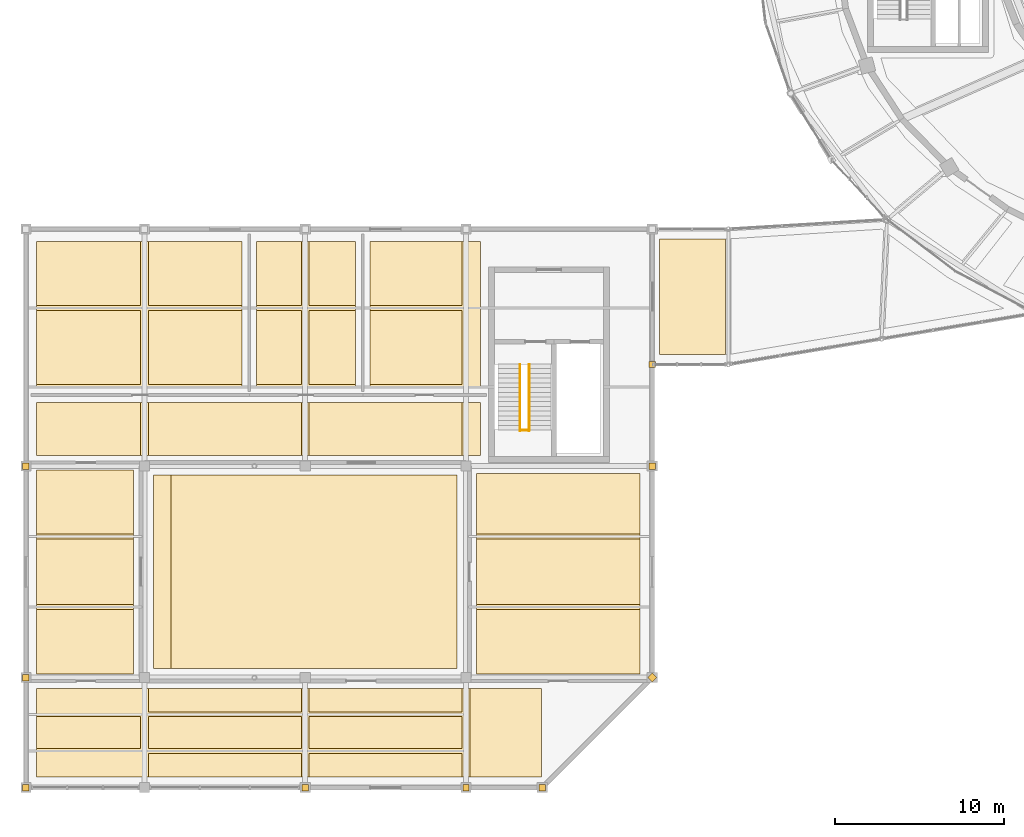
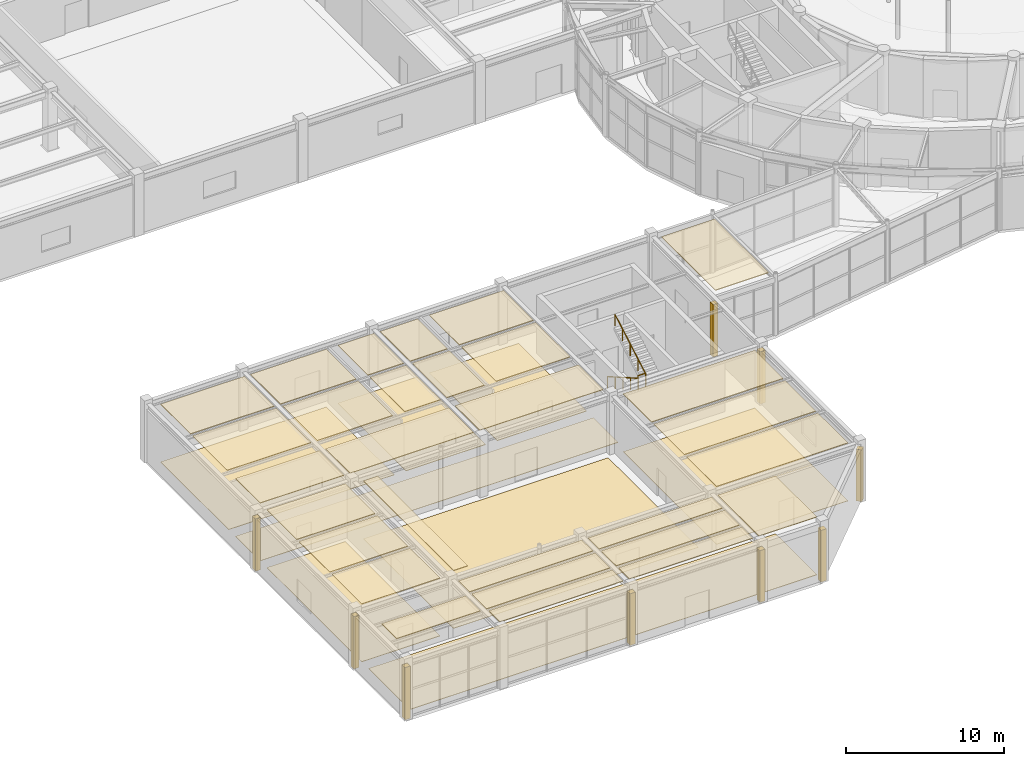
# One storey, part 98 of 108: 46 coverings, 3 railings.
"""IFC4 building model written with IfcOpenShell, lengths in metres."""

from ifc_helpers import new_model, si_unit, direction, frame, origin, origin_2d, place, context, subcontext, project, spatial, polyline, rectangle, circle, outline, extrude, material, layer, layer_set, type_object, element, save


model = new_model("IFC4")

# Units and contexts
model_context = context("Model", 3, precision=1e-05, world=origin(), true_north=direction((0.0, 1.0)))
body_context = subcontext(model_context, "Body", "Model", "MODEL_VIEW")
ifc_project = project(units=[si_unit("LENGTHUNIT", "METRE"), si_unit("AREAUNIT", "SQUARE_METRE"), si_unit("VOLUMEUNIT", "CUBIC_METRE"), si_unit("PLANEANGLEUNIT", "RADIAN"), si_unit("MASSUNIT", "GRAM", prefix="KILO")], contexts=[model_context])

# Site, building, storey
site_placement = place(None, origin())
site = spatial("IfcSite", under=ifc_project, at=site_placement, CompositionType="ELEMENT")
building_placement = place(site_placement, origin())
building = spatial("IfcBuilding", under=site, at=building_placement, Name="Tarnveldt Headland Concert Hall", CompositionType="ELEMENT")
storey_placement = place(building_placement, origin())
storey = spatial("IfcBuildingStorey", under=building, at=storey_placement, Name="L00", CompositionType="ELEMENT", Elevation=0.0)

# Coverings
ifc_material_1 = material(Name="Micro-perforated mvule acoustic ceiling panel", Category="timber")
ifc_layer_1 = layer(ifc_material_1, 0.050048828125, Name="Micro-perforated mvule acoustic ceiling panel", Category="timber")
ifc_layer_set_1 = layer_set([ifc_layer_1], Name="Micro-perforated mvule acoustic ceiling panel")
covering_type_1 = type_object("IfcCoveringType", Name="CV-CEIL50", PredefinedType="CEILING", material=ifc_layer_set_1)
covering_1_placement = place(storey_placement, frame((0.0, 0.0, 4.469970703125)))
element("IfcCovering", 1, at=covering_1_placement, inside=storey, type_object=covering_type_1, Name="Acoustic mvule ceiling L00-18-42", PredefinedType="CEILING", context=body_context, shape_type="SweptSolid", body=[
    extrude(outline(polyline([(14.27001953125, 7.306884765625), (8.1298828125, 7.306884765625), (8.1298828125, 9.193115234375), (14.27001953125, 9.193115234375), (14.27001953125, 7.306884765625)])), origin(), (0.0, 0.0, 1.0), 0.050048828125),
])
covering_2_placement = place(storey_placement, frame((0.0, 0.0, 4.469970703125)))
element("IfcCovering", 2, at=covering_2_placement, inside=storey, type_object=covering_type_1, Name="Acoustic mvule ceiling L00-18-43", PredefinedType="CEILING", context=body_context, shape_type="SweptSolid", body=[
    extrude(outline(polyline([(14.72998046875, 7.027099609375), (23.77001953125, 7.027099609375), (23.77001953125, 5.6298828125), (14.72998046875, 5.6298828125), (14.72998046875, 7.027099609375)])), origin(), (0.0, 0.0, 1.0), 0.050048828125),
])
covering_3_placement = place(storey_placement, frame((0.0, 0.0, 4.469970703125)))
element("IfcCovering", 3, at=covering_3_placement, inside=storey, type_object=covering_type_1, Name="Acoustic mvule ceiling L00-18-44", PredefinedType="CEILING", context=body_context, shape_type="SweptSolid", body=[
    extrude(outline(polyline([(14.72998046875, 7.306884765625), (14.72998046875, 9.193115234375), (23.77001953125, 9.193115234375), (23.77001953125, 7.306884765625), (14.72998046875, 7.306884765625)])), origin(), (0.0, 0.0, 1.0), 0.050048828125),
])
covering_4_placement = place(storey_placement, frame((0.0, 0.0, 4.469970703125)))
element("IfcCovering", 4, at=covering_4_placement, inside=storey, type_object=covering_type_1, Name="Acoustic mvule ceiling L00-18-45", PredefinedType="CEILING", context=body_context, shape_type="SweptSolid", body=[
    extrude(outline(polyline([(14.72998046875, 9.472900390625), (14.72998046875, 10.8701171875), (23.77001953125, 10.8701171875), (23.77001953125, 9.472900390625), (14.72998046875, 9.472900390625)])), origin(), (0.0, 0.0, 1.0), 0.050048828125),
])
covering_5_placement = place(storey_placement, frame((0.0, 0.0, 4.469970703125)))
element("IfcCovering", 5, at=covering_5_placement, inside=storey, type_object=covering_type_1, Name="Acoustic mvule ceiling L00-18-46", PredefinedType="CEILING", context=body_context, shape_type="SweptSolid", body=[
    extrude(outline(polyline([(33.27001953125, 7.027099609375), (33.27001953125, 5.6298828125), (24.22998046875, 5.6298828125), (24.22998046875, 7.027099609375), (33.27001953125, 7.027099609375)])), origin(), (0.0, 0.0, 1.0), 0.050048828125),
])
covering_6_placement = place(storey_placement, frame((0.0, 0.0, 4.469970703125)))
element("IfcCovering", 6, at=covering_6_placement, inside=storey, type_object=covering_type_1, Name="Acoustic mvule ceiling L00-18-47", PredefinedType="CEILING", context=body_context, shape_type="SweptSolid", body=[
    extrude(outline(polyline([(24.22998046875, 9.193115234375), (33.27001953125, 9.193115234375), (33.27001953125, 7.306884765625), (24.22998046875, 7.306884765625), (24.22998046875, 9.193115234375)])), origin(), (0.0, 0.0, 1.0), 0.050048828125),
])
covering_7_placement = place(storey_placement, frame((0.0, 0.0, 4.469970703125)))
element("IfcCovering", 7, at=covering_7_placement, inside=storey, type_object=covering_type_1, Name="Acoustic mvule ceiling L00-18-48", PredefinedType="CEILING", context=body_context, shape_type="SweptSolid", body=[
    extrude(outline(polyline([(24.22998046875, 10.8701171875), (33.27001953125, 10.8701171875), (33.27001953125, 9.472900390625), (24.22998046875, 9.472900390625), (24.22998046875, 10.8701171875)])), origin(), (0.0, 0.0, 1.0), 0.050048828125),
])
covering_8_placement = place(storey_placement, frame((0.0, 0.0, 4.469970703125)))
element("IfcCovering", 8, at=covering_8_placement, inside=storey, type_object=covering_type_1, Name="Acoustic mvule ceiling L00-18-49", PredefinedType="CEILING", context=body_context, shape_type="SweptSolid", body=[
    extrude(outline(polyline([(37.969970703125, 5.6298828125), (33.72998046875, 5.6298828125), (33.72998046875, 10.8701171875), (37.969970703125, 10.8701171875), (37.969970703125, 5.6298828125)])), origin(), (0.0, 0.0, 1.0), 0.050048828125),
])
covering_9_placement = place(storey_placement, frame((0.0, 0.0, 4.469970703125)))
element("IfcCovering", 9, at=covering_9_placement, inside=storey, type_object=covering_type_1, Name="Acoustic mvule ceiling L00-19-50", PredefinedType="CEILING", context=body_context, shape_type="SweptSolid", body=[
    extrude(outline(polyline([(8.1298828125, 19.693115234375), (13.8701171875, 19.693115234375), (13.8701171875, 15.806884765625), (8.1298828125, 15.806884765625), (8.1298828125, 19.693115234375)])), origin(), (0.0, 0.0, 1.0), 0.050048828125),
])
covering_10_placement = place(storey_placement, frame((0.0, 0.0, 4.469970703125)))
element("IfcCovering", 10, at=covering_10_placement, inside=storey, type_object=covering_type_1, Name="Acoustic mvule ceiling L00-19-51", PredefinedType="CEILING", context=body_context, shape_type="SweptSolid", body=[
    extrude(outline(polyline([(13.8701171875, 23.77001953125), (13.8701171875, 19.972900390625), (8.1298828125, 19.972900390625), (8.1298828125, 23.77001953125), (13.8701171875, 23.77001953125)])), origin(), (0.0, 0.0, 1.0), 0.050048828125),
])
covering_11_placement = place(storey_placement, frame((0.0, 0.0, 4.469970703125)))
element("IfcCovering", 11, at=covering_11_placement, inside=storey, type_object=covering_type_1, Name="Acoustic mvule ceiling L00-19-52", PredefinedType="CEILING", context=body_context, shape_type="SweptSolid", body=[
    extrude(outline(polyline([(8.1298828125, 15.527099609375), (13.8701171875, 15.527099609375), (13.8701171875, 11.72998046875), (8.1298828125, 11.72998046875), (8.1298828125, 15.527099609375)])), origin(), (0.0, 0.0, 1.0), 0.050048828125),
])
covering_12_placement = place(storey_placement, frame((0.0, 0.0, 4.469970703125)))
element("IfcCovering", 12, at=covering_12_placement, inside=storey, type_object=covering_type_1, Name="Acoustic mvule ceiling L00-20-53", PredefinedType="CEILING", context=body_context, shape_type="SweptSolid", body=[
    extrude(outline(polyline([(34.1298828125, 19.972900390625), (34.1298828125, 23.570068359375), (43.77001953125, 23.570068359375), (43.77001953125, 19.972900390625), (34.1298828125, 19.972900390625)])), origin(), (0.0, 0.0, 1.0), 0.050048828125),
])
covering_13_placement = place(storey_placement, frame((0.0, 0.0, 4.469970703125)))
element("IfcCovering", 13, at=covering_13_placement, inside=storey, type_object=covering_type_1, Name="Acoustic mvule ceiling L00-20-54", PredefinedType="CEILING", context=body_context, shape_type="SweptSolid", body=[
    extrude(outline(polyline([(34.1298828125, 15.806884765625), (34.1298828125, 19.693115234375), (43.77001953125, 19.693115234375), (43.77001953125, 15.806884765625), (34.1298828125, 15.806884765625)])), origin(), (0.0, 0.0, 1.0), 0.050048828125),
])
covering_14_placement = place(storey_placement, frame((0.0, 0.0, 4.469970703125)))
element("IfcCovering", 14, at=covering_14_placement, inside=storey, type_object=covering_type_1, Name="Acoustic mvule ceiling L00-20-55", PredefinedType="CEILING", context=body_context, shape_type="SweptSolid", body=[
    extrude(outline(polyline([(34.1298828125, 15.527099609375), (43.77001953125, 15.527099609375), (43.77001953125, 11.72998046875), (34.1298828125, 11.72998046875), (34.1298828125, 15.527099609375)])), origin(), (0.0, 0.0, 1.0), 0.050048828125),
])
covering_15_placement = place(storey_placement, frame((0.0, 0.0, 4.469970703125)))
element("IfcCovering", 15, at=covering_15_placement, inside=storey, type_object=covering_type_1, Name="Acoustic mvule ceiling L00-21-56", PredefinedType="CEILING", context=body_context, shape_type="SweptSolid", body=[
    extrude(outline(polyline([(8.1298828125, 24.6298828125), (8.1298828125, 27.77001953125), (14.27001953125, 27.77001953125), (14.27001953125, 24.6298828125), (8.1298828125, 24.6298828125)])), origin(), (0.0, 0.0, 1.0), 0.050048828125),
])
covering_16_placement = place(storey_placement, frame((0.0, 0.0, 4.469970703125)))
element("IfcCovering", 16, at=covering_16_placement, inside=storey, type_object=covering_type_1, Name="Acoustic mvule ceiling L00-21-57", PredefinedType="CEILING", context=body_context, shape_type="SweptSolid", body=[
    extrude(outline(polyline([(24.22998046875, 27.77001953125), (33.27001953125, 27.77001953125), (33.27001953125, 24.6298828125), (24.22998046875, 24.6298828125), (24.22998046875, 27.77001953125)])), origin(), (0.0, 0.0, 1.0), 0.050048828125),
])
covering_17_placement = place(storey_placement, frame((0.0, 0.0, 4.469970703125)))
element("IfcCovering", 17, at=covering_17_placement, inside=storey, type_object=covering_type_1, Name="Acoustic mvule ceiling L00-21-58", PredefinedType="CEILING", context=body_context, shape_type="SweptSolid", body=[
    extrude(outline(polyline([(23.77001953125, 27.77001953125), (23.77001953125, 24.6298828125), (14.72998046875, 24.6298828125), (14.72998046875, 27.77001953125), (23.77001953125, 27.77001953125)])), origin(), (0.0, 0.0, 1.0), 0.050048828125),
])
covering_18_placement = place(storey_placement, frame((0.0, 0.0, 4.469970703125)))
element("IfcCovering", 18, at=covering_18_placement, inside=storey, type_object=covering_type_1, Name="Acoustic mvule ceiling L00-22-59", PredefinedType="CEILING", context=body_context, shape_type="SweptSolid", body=[
    extrude(outline(polyline([(20.27001953125, 33.472900390625), (14.72998046875, 33.472900390625), (14.72998046875, 37.27001953125), (20.27001953125, 37.27001953125), (20.27001953125, 33.472900390625)])), origin(), (0.0, 0.0, 1.0), 0.050048828125),
])
covering_19_placement = place(storey_placement, frame((0.0, 0.0, 4.469970703125)))
element("IfcCovering", 19, at=covering_19_placement, inside=storey, type_object=covering_type_1, Name="Acoustic mvule ceiling L00-22-60", PredefinedType="CEILING", context=body_context, shape_type="SweptSolid", body=[
    extrude(outline(polyline([(14.72998046875, 28.806884765625), (14.72998046875, 33.193115234375), (20.27001953125, 33.193115234375), (20.27001953125, 28.806884765625), (14.72998046875, 28.806884765625)])), origin(), (0.0, 0.0, 1.0), 0.050048828125),
])
covering_20_placement = place(storey_placement, frame((0.0, 0.0, 4.469970703125)))
element("IfcCovering", 20, at=covering_20_placement, inside=storey, type_object=covering_type_1, Name="Acoustic mvule ceiling L00-22-61", PredefinedType="CEILING", context=body_context, shape_type="SweptSolid", body=[
    extrude(outline(polyline([(14.27001953125, 28.806884765625), (8.1298828125, 28.806884765625), (8.1298828125, 33.193115234375), (14.27001953125, 33.193115234375), (14.27001953125, 28.806884765625)])), origin(), (0.0, 0.0, 1.0), 0.050048828125),
])
covering_21_placement = place(storey_placement, frame((0.0, 0.0, 4.469970703125)))
element("IfcCovering", 21, at=covering_21_placement, inside=storey, type_object=covering_type_1, Name="Acoustic mvule ceiling L00-22-62", PredefinedType="CEILING", context=body_context, shape_type="SweptSolid", body=[
    extrude(outline(polyline([(14.27001953125, 33.472900390625), (8.1298828125, 33.472900390625), (8.1298828125, 37.27001953125), (14.27001953125, 37.27001953125), (14.27001953125, 33.472900390625)])), origin(), (0.0, 0.0, 1.0), 0.050048828125),
])
covering_22_placement = place(storey_placement, frame((0.0, 0.0, 4.469970703125)))
element("IfcCovering", 22, at=covering_22_placement, inside=storey, type_object=covering_type_1, Name="Acoustic mvule ceiling L00-23-63", PredefinedType="CEILING", context=body_context, shape_type="SweptSolid", body=[
    extrude(outline(polyline([(26.969970703125, 33.472900390625), (24.22998046875, 33.472900390625), (24.22998046875, 37.27001953125), (26.969970703125, 37.27001953125), (26.969970703125, 33.472900390625)])), origin(), (0.0, 0.0, 1.0), 0.050048828125),
])
covering_23_placement = place(storey_placement, frame((0.0, 0.0, 4.469970703125)))
element("IfcCovering", 23, at=covering_23_placement, inside=storey, type_object=covering_type_1, Name="Acoustic mvule ceiling L00-23-64", PredefinedType="CEILING", context=body_context, shape_type="SweptSolid", body=[
    extrude(outline(polyline([(24.22998046875, 28.806884765625), (24.22998046875, 33.193115234375), (26.969970703125, 33.193115234375), (26.969970703125, 28.806884765625), (24.22998046875, 28.806884765625)])), origin(), (0.0, 0.0, 1.0), 0.050048828125),
])
covering_24_placement = place(storey_placement, frame((0.0, 0.0, 4.469970703125)))
element("IfcCovering", 24, at=covering_24_placement, inside=storey, type_object=covering_type_1, Name="Acoustic mvule ceiling L00-23-65", PredefinedType="CEILING", context=body_context, shape_type="SweptSolid", body=[
    extrude(outline(polyline([(23.77001953125, 28.806884765625), (21.1298828125, 28.806884765625), (21.1298828125, 33.193115234375), (23.77001953125, 33.193115234375), (23.77001953125, 28.806884765625)])), origin(), (0.0, 0.0, 1.0), 0.050048828125),
])
covering_25_placement = place(storey_placement, frame((0.0, 0.0, 4.469970703125)))
element("IfcCovering", 25, at=covering_25_placement, inside=storey, type_object=covering_type_1, Name="Acoustic mvule ceiling L00-23-66", PredefinedType="CEILING", context=body_context, shape_type="SweptSolid", body=[
    extrude(outline(polyline([(23.77001953125, 33.472900390625), (21.1298828125, 33.472900390625), (21.1298828125, 37.27001953125), (23.77001953125, 37.27001953125), (23.77001953125, 33.472900390625)])), origin(), (0.0, 0.0, 1.0), 0.050048828125),
])
covering_26_placement = place(storey_placement, frame((0.0, 0.0, 4.469970703125)))
element("IfcCovering", 26, at=covering_26_placement, inside=storey, type_object=covering_type_1, Name="Acoustic mvule ceiling L00-24-67", PredefinedType="CEILING", context=body_context, shape_type="SweptSolid", body=[
    extrude(outline(polyline([(33.27001953125, 28.806884765625), (27.830078125, 28.806884765625), (27.830078125, 33.193115234375), (33.27001953125, 33.193115234375), (33.27001953125, 28.806884765625)])), origin(), (0.0, 0.0, 1.0), 0.050048828125),
])
covering_27_placement = place(storey_placement, frame((0.0, 0.0, 4.469970703125)))
element("IfcCovering", 27, at=covering_27_placement, inside=storey, type_object=covering_type_1, Name="Acoustic mvule ceiling L00-24-68", PredefinedType="CEILING", context=body_context, shape_type="SweptSolid", body=[
    extrude(outline(polyline([(33.27001953125, 33.472900390625), (27.830078125, 33.472900390625), (27.830078125, 37.27001953125), (33.27001953125, 37.27001953125), (33.27001953125, 33.472900390625)])), origin(), (0.0, 0.0, 1.0), 0.050048828125),
])
covering_28_placement = place(storey_placement, frame((0.0, 0.0, 4.469970703125)))
element("IfcCovering", 28, at=covering_28_placement, inside=storey, type_object=covering_type_1, Name="Acoustic mvule ceiling L00-25-69", PredefinedType="CEILING", context=body_context, shape_type="SweptSolid", body=[
    extrude(outline(polyline([(48.8349609375, 30.580078125), (44.929931640625, 30.580078125), (44.929931640625, 37.419921875), (48.8349609375, 37.419921875), (48.8349609375, 30.580078125)])), origin(), (0.0, 0.0, 1.0), 0.050048828125),
])
ifc_layer_2 = layer(ifc_material_1, 0.06494140625, Name="Micro-perforated mvule acoustic ceiling panel", Category="timber")
ifc_layer_set_2 = layer_set([ifc_layer_2], Name="Micro-perforated mvule acoustic ceiling panel")
covering_type_2 = type_object("IfcCoveringType", Name="CV-CEIL65", PredefinedType="CEILING", material=ifc_layer_set_2)
covering_29_placement = place(storey_placement, frame((0.0, 0.0, 4.455078125)))
element("IfcCovering", 29, at=covering_29_placement, inside=storey, type_object=covering_type_2, Name="Acoustic mvule ceiling L00-17-41", PredefinedType="CEILING", context=body_context, shape_type="SweptSolid", body=[
    extrude(outline(polyline([(15.030029296875, 23.469970703125), (16.080078125, 23.469970703125), (16.080078125, 12.030029296875), (15.030029296875, 12.030029296875), (15.030029296875, 23.469970703125)])), origin(), (0.0, 0.0, 1.0), 0.06494140625),
])
ifc_material_2 = material(Name="Treated East African mvule hardwood", Category="wood")
ifc_layer_3 = layer(ifc_material_2, 0.028076171875, Name="Treated East African mvule hardwood", Category="wood")
ifc_layer_set_3 = layer_set([ifc_layer_3], Name="Treated East African mvule hardwood")
covering_type_3 = type_object("IfcCoveringType", Name="CV-FLOR28", PredefinedType="FLOORING", material=ifc_layer_set_3)
covering_30_placement = place(storey_placement, origin())
element("IfcCovering", 30, at=covering_30_placement, inside=storey, type_object=covering_type_3, Name="Architectural flooring L00-17-10", PredefinedType="FLOORING", context=body_context, shape_type="SweptSolid", body=[
    extrude(outline(polyline([(15.030029296875, 23.469970703125), (32.969970703125, 23.469970703125), (32.969970703125, 12.030029296875), (15.030029296875, 12.030029296875), (15.030029296875, 23.469970703125)])), origin(), (0.0, 0.0, 1.0), 0.028076171875),
])
ifc_material_3 = material(Name="Polished coral-aggregate cementitious terrazzo flooring", Category="concrete")
ifc_layer_4 = layer(ifc_material_3, 0.034912109375, Name="Polished coral-aggregate cementitious terrazzo flooring", Category="concrete")
ifc_layer_set_4 = layer_set([ifc_layer_4], Name="Polished coral-aggregate cementitious terrazzo flooring")
covering_type_4 = type_object("IfcCoveringType", Name="CV-FLOR35", PredefinedType="FLOORING", material=ifc_layer_set_4)
covering_31_placement = place(storey_placement, origin())
element("IfcCovering", 31, at=covering_31_placement, inside=storey, type_object=covering_type_4, Name="Architectural flooring L00-18-11", PredefinedType="FLOORING", context=body_context, shape_type="SweptSolid", body=[
    extrude(outline(polyline([(8.1298828125, 10.8701171875), (37.969970703125, 10.8701171875), (37.969970703125, 5.6298828125), (8.1298828125, 5.6298828125), (8.1298828125, 10.8701171875)])), origin(), (0.0, 0.0, 1.0), 0.034912109375),
])
covering_32_placement = place(storey_placement, origin())
element("IfcCovering", 32, at=covering_32_placement, inside=storey, type_object=covering_type_4, Name="Architectural flooring L00-19-12", PredefinedType="FLOORING", context=body_context, shape_type="SweptSolid", body=[
    extrude(outline(polyline([(8.1298828125, 23.77001953125), (13.8701171875, 23.77001953125), (13.8701171875, 11.72998046875), (8.1298828125, 11.72998046875), (8.1298828125, 23.77001953125)])), origin(), (0.0, 0.0, 1.0), 0.034912109375),
])
covering_33_placement = place(storey_placement, origin())
element("IfcCovering", 33, at=covering_33_placement, inside=storey, type_object=covering_type_4, Name="Architectural flooring L00-20-13", PredefinedType="FLOORING", context=body_context, shape_type="SweptSolid", body=[
    extrude(outline(polyline([(34.1298828125, 23.570068359375), (43.77001953125, 23.570068359375), (43.77001953125, 11.72998046875), (34.1298828125, 11.72998046875), (34.1298828125, 23.570068359375)])), origin(), (0.0, 0.0, 1.0), 0.034912109375),
])
covering_34_placement = place(storey_placement, origin())
element("IfcCovering", 34, at=covering_34_placement, inside=storey, type_object=covering_type_4, Name="Architectural flooring L00-21-14", PredefinedType="FLOORING", context=body_context, shape_type="SweptSolid", body=[
    extrude(outline(polyline([(8.1298828125, 27.77001953125), (34.3701171875, 27.77001953125), (34.3701171875, 24.6298828125), (8.1298828125, 24.6298828125), (8.1298828125, 27.77001953125)])), origin(), (0.0, 0.0, 1.0), 0.034912109375),
])
covering_35_placement = place(storey_placement, origin())
element("IfcCovering", 35, at=covering_35_placement, inside=storey, type_object=covering_type_4, Name="Architectural flooring L00-22-15", PredefinedType="FLOORING", context=body_context, shape_type="SweptSolid", body=[
    extrude(outline(polyline([(8.1298828125, 37.27001953125), (20.27001953125, 37.27001953125), (20.27001953125, 28.6298828125), (8.1298828125, 28.6298828125), (8.1298828125, 37.27001953125)])), origin(), (0.0, 0.0, 1.0), 0.034912109375),
])
covering_36_placement = place(storey_placement, origin())
element("IfcCovering", 36, at=covering_36_placement, inside=storey, type_object=covering_type_4, Name="Architectural flooring L00-23-16", PredefinedType="FLOORING", context=body_context, shape_type="SweptSolid", body=[
    extrude(outline(polyline([(21.1298828125, 37.27001953125), (26.969970703125, 37.27001953125), (26.969970703125, 28.6298828125), (21.1298828125, 28.6298828125), (21.1298828125, 37.27001953125)])), origin(), (0.0, 0.0, 1.0), 0.034912109375),
])
covering_37_placement = place(storey_placement, origin())
element("IfcCovering", 37, at=covering_37_placement, inside=storey, type_object=covering_type_4, Name="Architectural flooring L00-24-17", PredefinedType="FLOORING", context=body_context, shape_type="SweptSolid", body=[
    extrude(outline(polyline([(27.830078125, 37.27001953125), (34.3701171875, 37.27001953125), (34.3701171875, 28.6298828125), (27.830078125, 28.6298828125), (27.830078125, 37.27001953125)])), origin(), (0.0, 0.0, 1.0), 0.034912109375),
])
ifc_material_4 = material(Name="Coral-toned precast concrete C40/50", Category="concrete")
ifc_layer_5 = layer(ifc_material_4, 0.360107421875, Name="Coral-toned precast concrete C40/50", Category="concrete")
ifc_layer_set_5 = layer_set([ifc_layer_5], Name="Coral-toned precast concrete C40/50")
covering_type_5 = type_object("IfcCoveringType", Name="CV-JNT360", PredefinedType="CLADDING", material=ifc_layer_set_5)
for number, where, z_axis, x_axis, name in (
    (38, (7.5, 5.0, 0.0), (0.0, 0.0, 1.0), (0.0, 1.0, 0.0), "Precast facade joint closure pilaster L00-112"),
    (39, (7.5, 11.5, 0.0), (0.0, 0.0, 1.0), (0.0, 1.0, 0.0), "Precast facade joint closure pilaster L00-113"),
    (40, (7.5, 24.0, 0.0), (0.0, 0.0, 1.0), (0.0, 1.0, 0.0), "Precast facade joint closure pilaster L00-114"),
):
    element("IfcCovering", number, at=place(storey_placement, frame(where, z_axis=z_axis, x_axis=x_axis)), inside=storey, type_object=covering_type_5, Name=name, PredefinedType="CLADDING", context=body_context, shape_type="SweptSolid", body=[
        extrude(rectangle(XDim=0.3798828125, YDim=0.3798828125, at=origin_2d()), origin(), (0.0, 0.0, 1.0), 4.05810546875),
    ])
for number, where, z_axis, x_axis, name in (
    (41, (24.0, 5.0, 0.0), (0.0, 0.0, 1.0), (-1.0, 0.0, 0.0), "Precast facade joint closure pilaster L00-125"),
    (42, (33.5, 5.0, 0.0), (0.0, 0.0, 1.0), (-1.0, 0.0, 0.0), "Precast facade joint closure pilaster L00-129"),
    (43, (38.0, 5.0, 0.0), (0.0, 0.0, 1.0), (-1.0, 0.0, 0.0), "Precast facade joint closure pilaster L00-131"),
    (44, (44.5, 11.5, 0.0), (0.0, 0.0, 1.0), (-0.707106781187, -0.707106781187, 0.0), "Precast facade joint closure pilaster L00-132"),
):
    element("IfcCovering", number, at=place(storey_placement, frame(where, z_axis=z_axis, x_axis=x_axis)), inside=storey, type_object=covering_type_5, Name=name, PredefinedType="CLADDING", context=body_context, shape_type="SweptSolid", body=[
        extrude(rectangle(XDim=0.3798828125, YDim=0.3798828125, at=origin_2d()), origin(), (0.0, 0.0, 1.0), 4.008056640625),
    ])
for number, where, z_axis, x_axis, name in (
    (45, (44.5, 24.0, 0.0), (0.0, 0.0, 1.0), (0.0, -1.0, 0.0), "Precast facade joint closure pilaster L00-133"),
    (46, (44.5, 30.0, 0.0), (0.0, 0.0, 1.0), (0.0, -1.0, 0.0), "Precast facade joint closure pilaster L00-134"),
):
    element("IfcCovering", number, at=place(storey_placement, frame(where, z_axis=z_axis, x_axis=x_axis)), inside=storey, type_object=covering_type_5, Name=name, PredefinedType="CLADDING", context=body_context, shape_type="SweptSolid", body=[
        extrude(rectangle(XDim=0.3798828125, YDim=0.3798828125, at=origin_2d()), origin(), (0.0, 0.0, 1.0), 4.05810546875),
    ])

# Railings
ifc_material_5 = material(Name="Marine stainless steel", Category="steel")
ifc_layer_6 = layer(ifc_material_5, 0.06005859375, Name="Marine stainless steel", Category="steel")
ifc_layer_set_6 = layer_set([ifc_layer_6], Name="Marine stainless steel")
railing_type_1 = type_object("IfcRailingType", Name="RL-GRD110", PredefinedType="GUARDRAIL", material=ifc_layer_set_6)
railing_1_placement = place(storey_placement, frame((36.68994140625, 26.1201171875, 2.39990234375)))
element("IfcRailing", 47, at=railing_1_placement, inside=storey, type_object=railing_type_1, Name="GUARD STR-C5-L00 half-landing well", PredefinedType="GUARDRAIL", context=body_context, shape_type="SweptSolid", body=[
    extrude(circle(Radius=0.02392578125, at=origin_2d()), frame((0.0, 0.0, 1.076171875), z_axis=(1.0, 0.0, 0.0), x_axis=(0.0, 1.0, 0.0)), (0.0, 0.0, 1.0), 0.5400390625),
    extrude(circle(Radius=0.02099609375, at=origin_2d()), origin(), (0.0, 0.0, 1.0), 1.052001953125),
    extrude(circle(Radius=0.02099609375, at=origin_2d()), frame((0.5400390625, 0.0, 0.0)), (0.0, 0.0, 1.0), 1.052001953125),
])
ifc_layer_7 = layer(ifc_material_5, 0.048095703125, Name="Marine stainless steel", Category="steel")
ifc_layer_set_7 = layer_set([ifc_layer_7], Name="Marine stainless steel")
railing_type_2 = type_object("IfcRailingType", Name="RL-HND092", PredefinedType="HANDRAIL", material=ifc_layer_set_7)
railing_2_placement = place(storey_placement, frame((36.68994140625, 30.0, 0.159912109375)))
element("IfcRailing", 48, at=railing_2_placement, inside=storey, type_object=railing_type_2, Name="HANDRAIL STR-C5-L00 flight 1", PredefinedType="HANDRAIL", context=body_context, shape_type="SweptSolid", body=[
    extrude(circle(Radius=0.02392578125, at=origin_2d()), frame((0.0, 0.0, 0.89599609375), z_axis=(0.0, -0.868239814368, 0.496144761885), x_axis=(1.0, 0.0, 0.0)), (0.0, 0.0, 1.0), 4.514892578125),
    extrude(circle(Radius=0.02099609375, at=origin_2d()), origin(), (0.0, 0.0, 1.0), 0.871826171875),
    extrude(circle(Radius=0.02099609375, at=origin_2d()), frame((0.0, -0.97998046875, 0.56005859375)), (0.0, 0.0, 1.0), 0.871826171875),
    extrude(circle(Radius=0.02099609375, at=origin_2d()), frame((0.0, -1.9599609375, 1.1201171875)), (0.0, 0.0, 1.0), 0.871826171875),
    extrude(circle(Radius=0.02099609375, at=origin_2d()), frame((0.0, -2.93994140625, 1.679931640625)), (0.0, 0.0, 1.0), 0.871826171875),
    extrude(circle(Radius=0.02099609375, at=origin_2d()), frame((0.0, -3.919921875, 2.239990234375)), (0.0, 0.0, 1.0), 0.871826171875),
])
railing_3_placement = place(storey_placement, frame((37.22998046875, 26.080078125, 2.56005859375)))
element("IfcRailing", 49, at=railing_3_placement, inside=storey, type_object=railing_type_2, Name="HANDRAIL STR-C5-L00 flight 2", PredefinedType="HANDRAIL", context=body_context, shape_type="SweptSolid", body=[
    extrude(circle(Radius=0.02392578125, at=origin_2d()), frame((0.0, 0.0, 0.89599609375), z_axis=(0.0, 0.868239814368, 0.496144761885), x_axis=(-1.0, 0.0, 0.0)), (0.0, 0.0, 1.0), 4.514892578125),
    extrude(circle(Radius=0.02099609375, at=origin_2d()), origin(), (0.0, 0.0, 1.0), 0.871826171875),
    extrude(circle(Radius=0.02099609375, at=origin_2d()), frame((0.0, 0.97998046875, 0.56005859375)), (0.0, 0.0, 1.0), 0.871826171875),
    extrude(circle(Radius=0.02099609375, at=origin_2d()), frame((0.0, 1.9599609375, 1.1201171875)), (0.0, 0.0, 1.0), 0.871826171875),
    extrude(circle(Radius=0.02099609375, at=origin_2d()), frame((0.0, 2.93994140625, 1.679931640625)), (0.0, 0.0, 1.0), 0.871826171875),
    extrude(circle(Radius=0.02099609375, at=origin_2d()), frame((0.0, 3.919921875, 2.239990234375)), (0.0, 0.0, 1.0), 0.871826171875),
])

save(model, "model.ifc")
